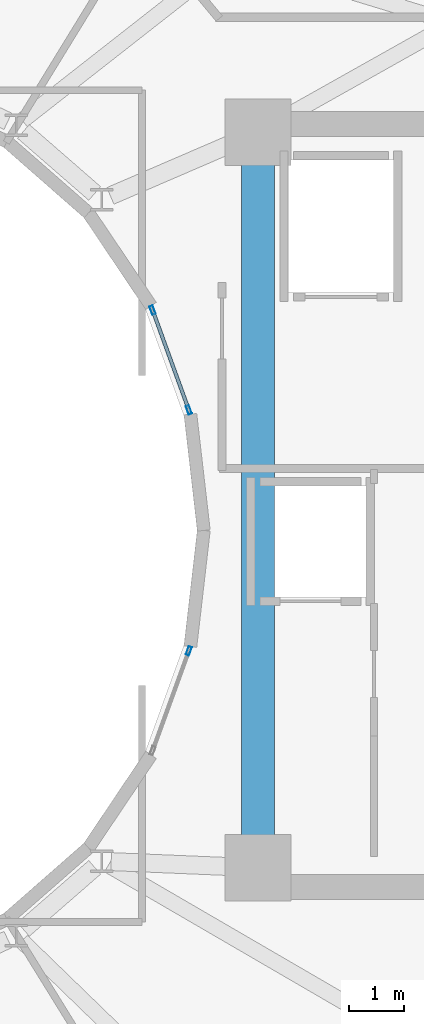
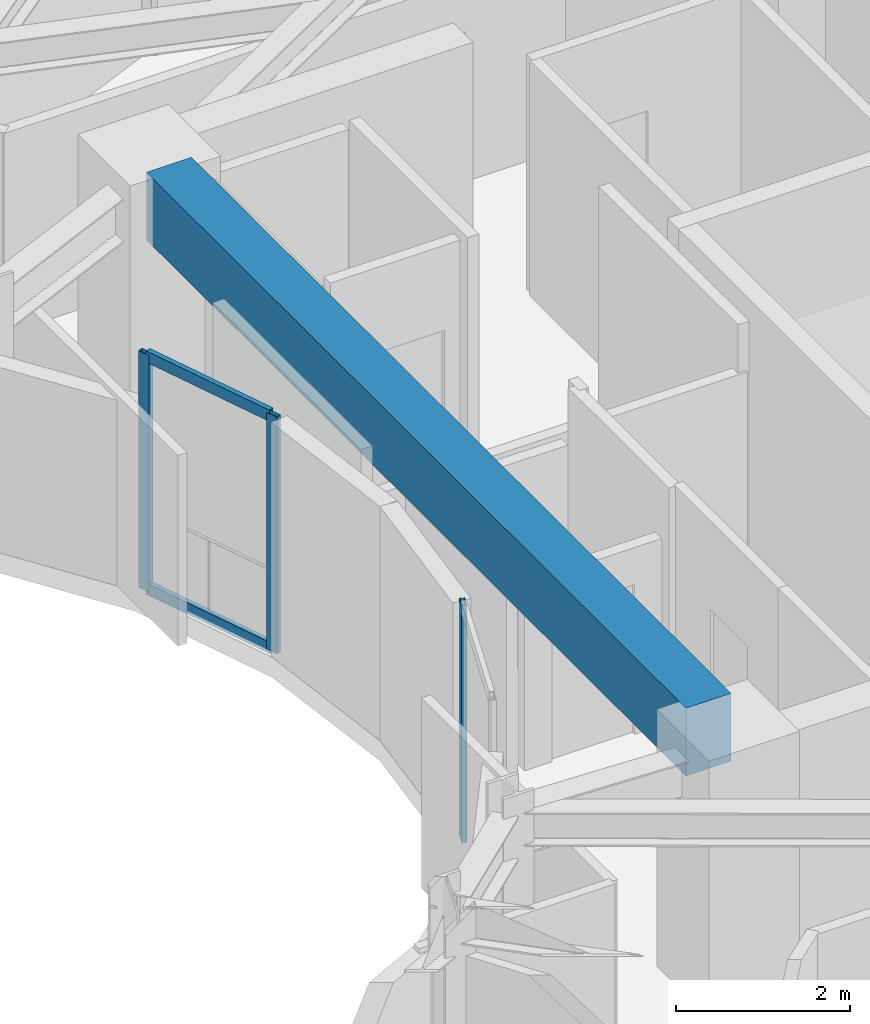
# One storey, part 9 of 24: 5 members, 1 beam, 2 elements without a shape of their own.
"""IFC4 building model written with IfcOpenShell, lengths in metres."""

import ifcopenshell
import ifcopenshell.guid

model = None  # the IFC model being written
_history = None  # IfcOwnerHistory: only IFC2X3 demands one
_inside = {}  # id of a spatial element -> (the spatial element, [elements in it])
_under = {}  # id of a project, library or spatial element -> (it, [spatial elements below it])
_declared = {}  # id of a project -> (the project, [libraries it declares])
_typed = {}  # id of a type object -> (the type object, [elements of that type])
_made_of = {}  # id of a material, layer set ... -> (it, [elements and type objects made of it])


def new_model(schema):
    """Start an empty IFC model of exactly this schema.

    Asked for "IFC4X3", IfcOpenShell would pick the latest addendum, in which some entities
    have other attributes; the version numbers below select the first issue.
    IFC2X3 requires an IfcOwnerHistory on every rooted entity: one is made here for all.
    """
    global model, _history
    if schema == "IFC4X3":
        model = ifcopenshell.file(schema_version=(4, 3, 0, 0))
    else:
        model = ifcopenshell.file(schema=schema)
    _inside.clear()
    _under.clear()
    _declared.clear()
    _typed.clear()
    _made_of.clear()
    _history = None
    if model.schema == "IFC2X3":
        org = make("IfcOrganization", Name="unknown")
        user = make(
            "IfcPersonAndOrganization",
            ThePerson=make("IfcPerson", FamilyName="unknown"),
            TheOrganization=org,
        )
        app = make(
            "IfcApplication",
            ApplicationDeveloper=org,
            Version="unknown",
            ApplicationFullName="unknown",
            ApplicationIdentifier="unknown",
        )
        _history = make(
            "IfcOwnerHistory",
            OwningUser=user,
            OwningApplication=app,
            ChangeAction="ADDED",
            CreationDate=0,
        )
    return model


def make(cls, **values):
    """One entity of the class cls with the attributes given. An attribute that is None is left unset."""
    return model.create_entity(
        cls, **{name: value for name, value in values.items() if value is not None}
    )


def rooted(cls, **values):
    """An entity with a GlobalId (a new one), such as an element, a storey or a relation."""
    return make(cls, GlobalId=ifcopenshell.guid.new(), OwnerHistory=_history, **values)


def si_unit(unit_type, name, prefix=None):
    """IfcSIUnit, for example si_unit("LENGTHUNIT", "METRE", prefix="MILLI")."""
    return make("IfcSIUnit", UnitType=unit_type, Prefix=prefix, Name=name)


def assignment(units):
    """IfcUnitAssignment: the units of a project."""
    return None if units is None else make("IfcUnitAssignment", Units=units)


def point(xyz):
    """IfcCartesianPoint."""
    return None if xyz is None else make("IfcCartesianPoint", Coordinates=xyz)


def direction(xyz):
    """IfcDirection."""
    return None if xyz is None else make("IfcDirection", DirectionRatios=xyz)


def frame(location, z_axis=None, x_axis=None):
    """IfcAxis2Placement3D, a coordinate frame: its origin and axes. An axis left out is left unset."""
    return make(
        "IfcAxis2Placement3D",
        Location=point(location),
        Axis=direction(z_axis),
        RefDirection=direction(x_axis),
    )


def frame_2d(location, x_axis=None):
    """IfcAxis2Placement2D, a coordinate frame in the plane: its origin and x axis."""
    return make(
        "IfcAxis2Placement2D", Location=point(location), RefDirection=direction(x_axis)
    )


def origin():
    """The frame at (0, 0, 0) with its axes left unset."""
    return frame((0.0, 0.0, 0.0))


def origin_2d():
    """The frame at (0, 0) in the plane with its x axis left unset."""
    return frame_2d((0.0, 0.0))


def place(relative_to, where):
    """IfcLocalPlacement: puts the frame where relative to a parent placement (None: the world)."""
    return make(
        "IfcLocalPlacement", PlacementRelTo=relative_to, RelativePlacement=where
    )


def context(
    kind, dimensions, precision=None, world=None, true_north=None, identifier=None
):
    """IfcGeometricRepresentationContext, for example the 3D "Model" context."""
    return make(
        "IfcGeometricRepresentationContext",
        ContextIdentifier=identifier,
        ContextType=kind,
        CoordinateSpaceDimension=dimensions,
        Precision=precision,
        WorldCoordinateSystem=world,
        TrueNorth=true_north,
    )


def subcontext(parent, identifier, kind, view, scale=None):
    """IfcGeometricRepresentationSubContext, for example "Body" below "Model"."""
    return make(
        "IfcGeometricRepresentationSubContext",
        ContextIdentifier=identifier,
        ContextType=kind,
        ParentContext=parent,
        TargetScale=scale,
        TargetView=view,
    )


def project(units=None, contexts=None):
    """IfcProject with its units and contexts."""
    return rooted(
        "IfcProject",
        Name="project",
        RepresentationContexts=contexts,
        UnitsInContext=assignment(units),
    )


def spatial(cls, under=None, at=None, **own):
    """A site, building, storey or space (cls), placed at a placement, below another one or the project."""
    s = rooted(cls, ObjectPlacement=at, **own)
    if under is not None:
        _under.setdefault(under.id(), (under, []))[1].append(s)
    return s


def profile(cls, at=None, kind="AREA", **sizes):
    """A parametric profile (cls). Its sizes go by their IFC names, for example OverallWidth=200.0."""
    return make(cls, ProfileType=kind, Position=at, **sizes)


def rectangle(**sizes):
    """IfcRectangleProfileDef."""
    return profile("IfcRectangleProfileDef", **sizes)


def hollow_rectangle(**sizes):
    """IfcRectangleHollowProfileDef."""
    return profile("IfcRectangleHollowProfileDef", **sizes)


def extrude(swept, where, along, depth):
    """IfcExtrudedAreaSolid: the profile swept, set in the frame where, extruded along a direction by depth."""
    return make(
        "IfcExtrudedAreaSolid",
        SweptArea=swept,
        Position=where,
        ExtrudedDirection=direction(along),
        Depth=depth,
    )


def shape(context_of_items, identifier, shape_type, items):
    """IfcShapeRepresentation: the items that make up one representation, for example the "Body"."""
    return make(
        "IfcShapeRepresentation",
        ContextOfItems=context_of_items,
        RepresentationIdentifier=identifier,
        RepresentationType=shape_type,
        Items=items,
    )


def material(Name=None, Category=None):
    """IfcMaterial."""
    return make("IfcMaterial", Name=Name, Category=Category)


def layer(
    of_material, thickness, ventilated=None, Name=None, Category=None, Priority=None
):
    """IfcMaterialLayer: one layer of a wall or slab, of a material (None: an air gap)."""
    return make(
        "IfcMaterialLayer",
        Material=of_material,
        LayerThickness=thickness,
        IsVentilated=ventilated,
        Name=Name,
        Category=Category,
        Priority=Priority,
    )


def layer_set(layers, Name=None):
    """IfcMaterialLayerSet."""
    return make("IfcMaterialLayerSet", MaterialLayers=layers, LayerSetName=Name)


def material_profile(
    of_material, cross_section, Name=None, Category=None, Priority=None
):
    """IfcMaterialProfile: a cross section and its material."""
    return make(
        "IfcMaterialProfile",
        Name=Name,
        Material=of_material,
        Profile=cross_section,
        Priority=Priority,
        Category=Category,
    )


def profile_set(profiles, Name=None, composite=None):
    """IfcMaterialProfileSet."""
    return make(
        "IfcMaterialProfileSet",
        Name=Name,
        MaterialProfiles=profiles,
        CompositeProfile=composite,
    )


def made_of(thing, what):
    """Note that an element or type object is made of a material, layer set ...; save() writes the relation."""
    if what is not None:
        _made_of.setdefault(what.id(), (what, []))[1].append(thing)
    return thing


def type_object(cls, material=None, **own):
    """A type object (cls), such as IfcWallType, which elements share."""
    return made_of(rooted(cls, **own), material)


def element(
    cls,
    number,
    at=None,
    inside=None,
    cuts=None,
    type_object=None,
    material=None,
    context=None,
    identifier="Body",
    shape_type=None,
    held_by="IfcProductDefinitionShape",
    body=None,
    shapes=None,
    **own,
):
    """One element of the class cls, such as IfcWall. Its Tag is "e" and its number.

    at: its placement. inside: the storey or other place that contains it. cuts: it is an
    opening in that element (IfcRelVoidsElement). A single representation is given by context,
    identifier, shape_type and body (its items); several are given by shapes. held_by: the class
    of the entity that holds the representations. save() writes the other relations.
    """
    e = rooted(cls, Tag="e%d" % number, ObjectPlacement=at, **own)
    if body is not None:
        shapes = [shape(context, identifier, shape_type, body)]
    if shapes is not None:
        e.Representation = make(held_by, Representations=shapes)
    if inside is not None:
        _inside.setdefault(inside.id(), (inside, []))[1].append(e)
    if cuts is not None:
        rooted(
            "IfcRelVoidsElement", RelatingBuildingElement=cuts, RelatedOpeningElement=e
        )
    if type_object is not None:
        _typed.setdefault(type_object.id(), (type_object, []))[1].append(e)
    return made_of(e, material)


def aggregate(whole, parts):
    """IfcRelAggregates: a whole, such as a stair, and the parts it consists of."""
    return rooted("IfcRelAggregates", RelatingObject=whole, RelatedObjects=parts)


def save(model, path):
    """Write the relations noted so far, then the file.

    IfcRelAggregates (storeys below a building ...), IfcRelContainedInSpatialStructure (elements
    in a storey), IfcRelDefinesByType, IfcRelAssociatesMaterial and IfcRelDeclares: one each for
    every whole, place, type object, material and project.
    """
    for whole, parts in _under.values():
        aggregate(whole, parts)
    for where, things in _inside.values():
        rooted(
            "IfcRelContainedInSpatialStructure",
            RelatedElements=things,
            RelatingStructure=where,
        )
    for kind, things in _typed.values():
        rooted("IfcRelDefinesByType", RelatedObjects=things, RelatingType=kind)
    for what, things in _made_of.values():
        rooted("IfcRelAssociatesMaterial", RelatedObjects=things, RelatingMaterial=what)
    for by, libraries in _declared.values():
        rooted("IfcRelDeclares", RelatingContext=by, RelatedDefinitions=libraries)
    model.write(path)


model = new_model("IFC4")

# Units and contexts
model_context = context("Model", 3, precision=1e-05, world=origin(), true_north=direction((0.0, 1.0)))
body_context = subcontext(model_context, "Body", "Model", "MODEL_VIEW")
ifc_project = project(units=[si_unit("LENGTHUNIT", "METRE"), si_unit("AREAUNIT", "SQUARE_METRE"), si_unit("VOLUMEUNIT", "CUBIC_METRE"), si_unit("PLANEANGLEUNIT", "RADIAN"), si_unit("MASSUNIT", "GRAM", prefix="KILO")], contexts=[model_context])

# Site, building, storey
site_placement = place(None, origin())
site = spatial("IfcSite", under=ifc_project, at=site_placement, CompositionType="ELEMENT")
building_placement = place(site_placement, origin())
building = spatial("IfcBuilding", under=site, at=building_placement, Name="Solvane Sanctuary Tower", CompositionType="ELEMENT")
storey_placement = place(building_placement, frame((0.0, 0.0, 253.199951171875)))
storey = spatial("IfcBuildingStorey", under=building, at=storey_placement, Name="L77", CompositionType="ELEMENT", Elevation=253.199951171875)

# Beam
ifc_material_1 = material(Name="Concrete C70/85", Category="concrete")
ifc_material_profile_1 = material_profile(ifc_material_1, rectangle(XDim=0.60009765625, YDim=0.949951171875, at=origin_2d()), Name="RC600X950")
ifc_profile_set_1 = profile_set([ifc_material_profile_1], Name="Concrete C70/85")
beam_type = type_object("IfcBeamType", Name="Beam B-COUPLE RC600X950", PredefinedType="LINTEL", material=ifc_profile_set_1)
beam_placement = place(storey_placement, frame((40.10009765625, 17.35009765625, 3.125), z_axis=(0.0, 1.0, 0.0), x_axis=(-1.0, 0.0, 0.0)))
element("IfcBeam", 1, at=beam_placement, inside=storey, type_object=beam_type, Name="L77 East Core Coupling Lintel", PredefinedType="LINTEL", context=body_context, shape_type="SweptSolid", body=[
    extrude(rectangle(XDim=0.60009765625, YDim=0.949951171875, at=origin_2d()), origin(), (0.0, 0.0, 1.0), 12.39990234375),
])

# Curtain wall, members
ifc_material_2 = material(Name="Anodised Aluminium 6063-T6", Category="aluminium")
ifc_layer = layer(ifc_material_2, 0.199951171875, Name="Anodised Aluminium 6063-T6")
ifc_layer_set = layer_set([ifc_layer], Name="Anodised Aluminium 6063-T6")
curtain_wall_type = type_object("IfcCurtainWallType", Name="Curtain Wall CW-WELL", PredefinedType="NOTDEFINED", material=ifc_layer_set)
curtain_wall_1_placement = place(storey_placement, origin())
curtain_wall_1 = element("IfcCurtainWall", 2, at=curtain_wall_1_placement, inside=storey, type_object=curtain_wall_type, Name="L77 Light-Well Glazed Curtain Wall 01", PredefinedType="NOTDEFINED")
ifc_material_profile_2 = material_profile(ifc_material_2, hollow_rectangle(XDim=0.06494140625, YDim=0.159912109375, WallThickness=0.00341796875, at=origin_2d()), Name="ALU160X65X3.5")
ifc_profile_set_2 = profile_set([ifc_material_profile_2], Name="Anodised Aluminium 6063-T6")
member_type_1 = type_object("IfcMemberType", Name="Member M-CW-MUL-2 ALU160X65X3.5", PredefinedType="MULLION", material=ifc_profile_set_2)
member_1_placement = place(storey_placement, frame((38.84912109375, 25.17919921875, 0.0), z_axis=(0.0, 0.0, 1.0), x_axis=(-0.939933181429, -0.341358483781, 0.0)))
member_1 = element("IfcMember", 3, at=member_1_placement, type_object=member_type_1, Name="CW-WELL mullion 1", PredefinedType="MULLION", context=body_context, shape_type="SweptSolid", body=[
    extrude(hollow_rectangle(XDim=0.06494140625, YDim=0.159912109375, WallThickness=0.00341796875, at=origin_2d()), origin(), (0.0, 0.0, 1.0), 3.320068359375),
])
member_2_placement = place(storey_placement, frame((38.1943359375, 26.982421875, 0.0), z_axis=(0.0, 0.0, 1.0), x_axis=(-0.939933181429, -0.341358483781, 0.0)))
member_2 = element("IfcMember", 4, at=member_2_placement, type_object=member_type_1, Name="CW-WELL mullion 2", PredefinedType="MULLION", context=body_context, shape_type="SweptSolid", body=[
    extrude(hollow_rectangle(XDim=0.06494140625, YDim=0.159912109375, WallThickness=0.00341796875, at=origin_2d()), origin(), (0.0, 0.0, 1.0), 3.320068359375),
])

# Curtain wall, member
curtain_wall_2_placement = place(storey_placement, origin())
curtain_wall_2 = element("IfcCurtainWall", 5, at=curtain_wall_2_placement, inside=storey, type_object=curtain_wall_type, Name="L77 Light-Well Glazed Curtain Wall 22", PredefinedType="NOTDEFINED")
member_3_placement = place(storey_placement, frame((38.84912109375, 20.82080078125, 0.0), z_axis=(0.0, 0.0, 1.0), x_axis=(-0.939933181429, 0.341358483781, 0.0)))
member_3 = element("IfcMember", 6, at=member_3_placement, type_object=member_type_1, Name="CW-WELL mullion 2", PredefinedType="MULLION", context=body_context, shape_type="SweptSolid", body=[
    extrude(hollow_rectangle(XDim=0.06494140625, YDim=0.159912109375, WallThickness=0.00341796875, at=origin_2d()), origin(), (0.0, 0.0, 1.0), 3.320068359375),
])
aggregate(curtain_wall_2, [member_3])

# Member
ifc_material_profile_3 = material_profile(ifc_material_2, hollow_rectangle(XDim=0.06494140625, YDim=0.159912109375, WallThickness=0.00341796875, at=origin_2d()), Name="ALU160X65X3.5")
ifc_profile_set_3 = profile_set([ifc_material_profile_3], Name="Anodised Aluminium 6063-T6")
member_type_2 = type_object("IfcMemberType", Name="Member M-CW-TRN-1 ALU160X65X3.5", PredefinedType="USERDEFINED", material=ifc_profile_set_3)
member_4_placement = place(storey_placement, frame((38.838134765625, 25.209716796875, 0.032470703125), z_axis=(-0.341404620561, 0.939916424508, 0.0), x_axis=(-0.939916424508, -0.341404620561, 0.0)))
member_4 = element("IfcMember", 7, at=member_4_placement, type_object=member_type_2, Name="CW-WELL transom 1.1", ObjectType="TRANSOM", PredefinedType="USERDEFINED", context=body_context, shape_type="SweptSolid", body=[
    extrude(hollow_rectangle(XDim=0.06494140625, YDim=0.159912109375, WallThickness=0.00341796875, at=origin_2d()), origin(), (0.0, 0.0, 1.0), 1.853515625),
])

member_5_placement = place(storey_placement, frame((38.838134765625, 25.209716796875, 3.28759765625), z_axis=(-0.341404620561, 0.939916424508, 0.0), x_axis=(-0.939916424508, -0.341404620561, 0.0)))
member_5 = element("IfcMember", 8, at=member_5_placement, type_object=member_type_2, Name="CW-WELL transom 1.2", ObjectType="TRANSOM", PredefinedType="USERDEFINED", context=body_context, shape_type="SweptSolid", body=[
    extrude(hollow_rectangle(XDim=0.06494140625, YDim=0.159912109375, WallThickness=0.00341796875, at=origin_2d()), origin(), (0.0, 0.0, 1.0), 1.853515625),
])

aggregate(curtain_wall_1, [member_1, member_2, member_4, member_5])

save(model, "model.ifc")
